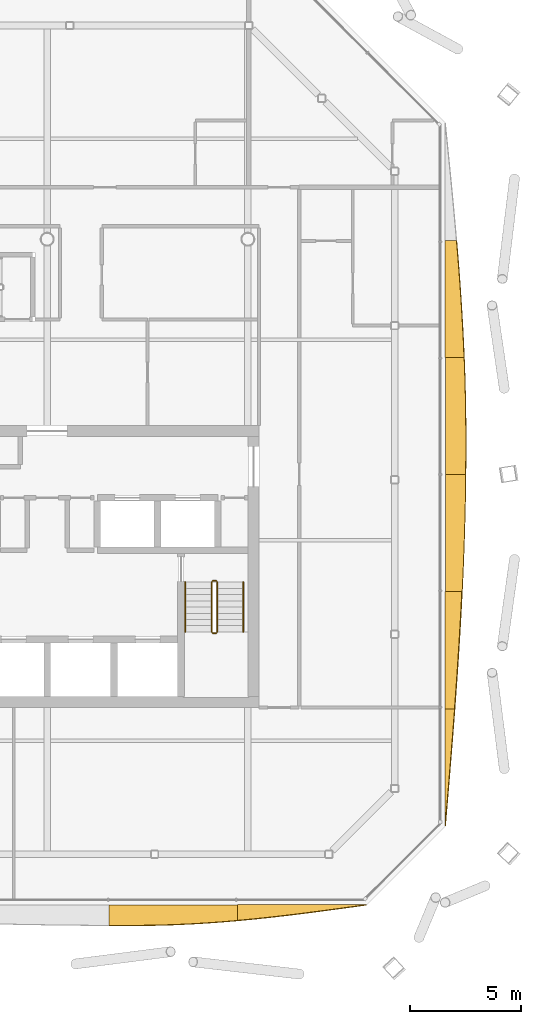
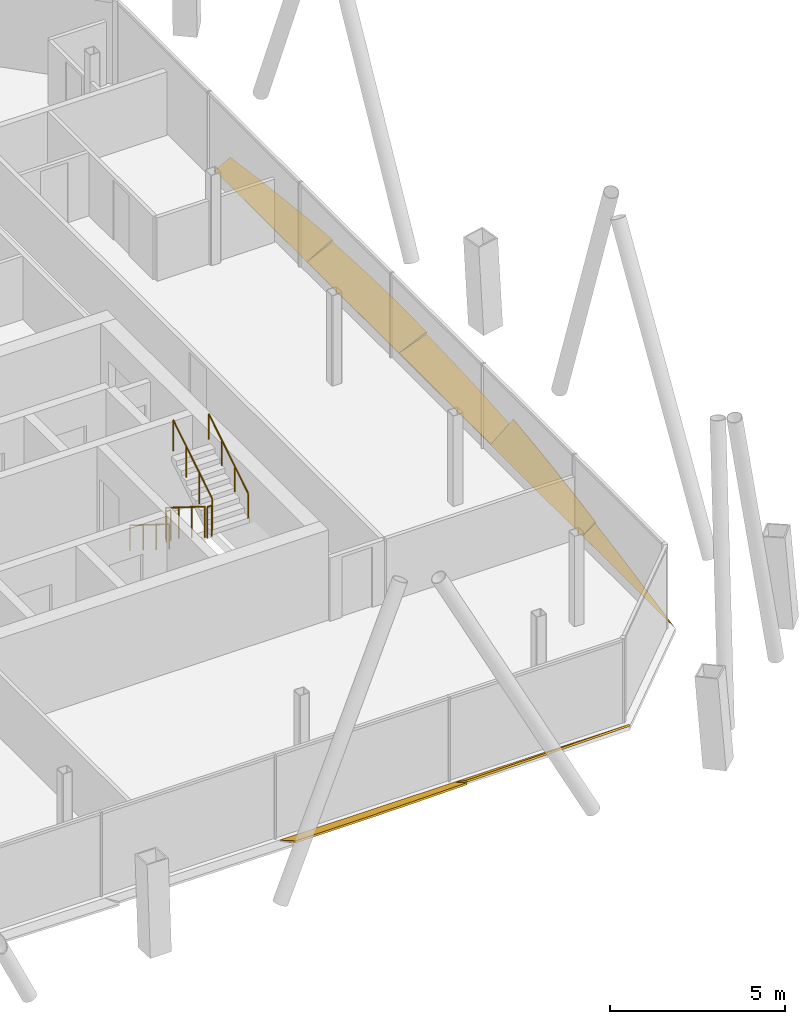
# One storey, part 19 of 20: 7 shading devices, 6 railings.
"""IFC4 building model written with IfcOpenShell, lengths in metres."""

from ifc_helpers import new_model, si_unit, direction, frame, origin, origin_2d, place, context, subcontext, project, spatial, polyline, circle, outline, extrude, material, layer, layer_set, type_object, element, save


model = new_model("IFC4")

# Units and contexts
model_context = context("Model", 3, precision=1e-05, world=origin(), true_north=direction((0.0, 1.0)))
body_context = subcontext(model_context, "Body", "Model", "MODEL_VIEW")
ifc_project = project(units=[si_unit("LENGTHUNIT", "METRE"), si_unit("AREAUNIT", "SQUARE_METRE"), si_unit("VOLUMEUNIT", "CUBIC_METRE"), si_unit("PLANEANGLEUNIT", "RADIAN"), si_unit("MASSUNIT", "GRAM", prefix="KILO")], contexts=[model_context])

# Site, building, storey
site_placement = place(None, origin())
site = spatial("IfcSite", under=ifc_project, at=site_placement, CompositionType="ELEMENT")
building_placement = place(site_placement, origin())
building = spatial("IfcBuilding", under=site, at=building_placement, Name="Tskaro Facet Tower", CompositionType="ELEMENT")
storey_placement = place(building_placement, frame((0.0, 0.0, 181.64990234375)))
storey = spatial("IfcBuildingStorey", under=building, at=storey_placement, Name="L45", CompositionType="ELEMENT", Elevation=181.64990234375)

# Shading devices
ifc_material_1 = material(Name="Bronze anodised aluminium 6063-T6", Category="aluminium")
ifc_layer = layer(ifc_material_1, 0.06005859375, Name="Bronze anodised aluminium 6063-T6")
ifc_layer_set = layer_set([ifc_layer], Name="Bronze anodised aluminium 6063-T6")
shading_device_type = type_object("IfcShadingDeviceType", Name="Bronze sun blade (FN1)", PredefinedType="USERDEFINED", material=ifc_layer_set)
shading_device_1_placement = place(storey_placement, frame((2.77099609375, -20.847900390625, 0.052001953125), z_axis=(8.713521e-06, 0.499987984961, 0.866032340515), x_axis=(0.999999999962, -4.356656e-06, -7.546191e-06)))
element("IfcShadingDevice", 1, at=shading_device_1_placement, inside=storey, type_object=shading_device_type, Name="Fin blade south 5", ObjectType="FIN", PredefinedType="USERDEFINED", context=body_context, shape_type="SweptSolid", body=[
    extrude(outline(polyline([(0.0, 0.0), (5.7709960935309175, 2.4441119149410585e-21), (5.770996092721833, -0.8113821062341036), (5.04956054620267, -0.881273293321049), (4.328369141485242, -0.9406559520218011), (3.606933594128653, -0.9888957813056845), (2.885498046600229, -1.0258707137935539), (2.164062500172418, -1.0503688126404058), (1.4428710928491835, -1.062845646281423), (1.0849609374675953, -1.0644804504802097), (0.7214355476350909, -1.0641469494241727), (-1.4159242318484354e-09, -1.0617557768155654), (0.0, 0.0)])), origin(), (0.0, 0.0, -1.0), 0.06005859375),
])
shading_device_2_placement = place(storey_placement, frame((8.5419921875, -20.843505859375, 0.04931640625), z_axis=(2.1502693e-05, 0.573422055485, 0.819260120976), x_axis=(0.999999999769, -1.2330118e-05, -1.7616299e-05)))
element("IfcShadingDevice", 2, at=shading_device_2_placement, inside=storey, type_object=shading_device_type, Name="Fin blade south 6", ObjectType="FIN", PredefinedType="USERDEFINED", context=body_context, shape_type="SweptSolid", body=[
    extrude(outline(polyline([(0.0, 0.0), (5.770996092415845, -9.776447659764234e-21), (5.049560546868994, -0.12184475035720642), (4.3283691410888085, -0.24192943017011098), (3.606933593396258, -0.3593740041665628), (2.8854980465682902, -0.47261841648027875), (2.164062498456054, -0.5802426068640231), (1.4428710935562072, -0.6812265444265976), (0.7214355454597278, -0.7739501542427478), (-2.627297725236392e-09, -0.8577334157183414), (0.0, 0.0)])), origin(), (0.0, 0.0, -1.0), 0.06005859375),
])
shading_device_3_placement = place(storey_placement, frame((17.843505859375, -17.31298828125, 0.04931640625), z_axis=(-0.573244813463, -1.9065049e-05, 0.819384148903), x_axis=(-1.092894e-05, 0.999999999818, 1.5621599e-05)))
element("IfcShadingDevice", 3, at=shading_device_3_placement, inside=storey, type_object=shading_device_type, Name="Fin blade east 1", ObjectType="FIN", PredefinedType="USERDEFINED", context=body_context, shape_type="SweptSolid", body=[
    extrude(outline(polyline([(0.0, 0.0), (5.252929686545342, 8.898809029845472e-21), (5.252929688401322, -0.5173201492282944), (4.596191407345836, -0.45683778941770425), (3.939697267669031, -0.3945953504692765), (3.2829589827845953, -0.33099292229954036), (2.626464841570175, -0.26631040960262076), (1.969726562775858, -0.20054781237851765), (1.3132324223151597, -0.1341052205437604), (0.6564941362699701, -0.06718267905661367), (0.0, 0.0)])), origin(), (0.0, 0.0, -1.0), 0.06005859375),
])
shading_device_4_placement = place(storey_placement, frame((17.83935546875, -12.06005859375, 0.046142578125), z_axis=(-0.642656932872, -2.3431305e-05, 0.766154074636), x_axis=(-1.505829e-05, 0.999999999725, 1.795199e-05)))
element("IfcShadingDevice", 4, at=shading_device_4_placement, inside=storey, type_object=shading_device_type, Name="Fin blade east 2", ObjectType="FIN", PredefinedType="USERDEFINED", context=body_context, shape_type="SweptSolid", body=[
    extrude(outline(polyline([(0.0, 0.0), (5.25268554543307, 0.0), (5.252685549604867, -0.982569945935019), (4.5961914058257065, -0.9394318379096585), (3.939453122416068, -0.8928240992151686), (3.2829589813322877, -0.8430906778515237), (2.626220701324499, -0.7902315738187242), (1.9697265606726972, -0.7347777844514236), (1.3129882818033567, -0.6765422604149429), (0.6564941429964725, -0.6160559990439356), (-7.556984524037646e-10, -0.553162101673107), (0.0, 0.0)])), origin(), (0.0, 0.0, -1.0), 0.06005859375),
])
shading_device_5_placement = place(storey_placement, frame((17.857421875, -6.807373046875, 0.056396484375), z_axis=(-0.342079385678, -1.8049887e-05, 0.939671056045), x_axis=(-6.174494e-06, 0.999999999837, 1.6960956e-05)))
element("IfcShadingDevice", 5, at=shading_device_5_placement, inside=storey, type_object=shading_device_type, Name="Fin blade east 3", ObjectType="FIN", PredefinedType="USERDEFINED", context=body_context, shape_type="SweptSolid", body=[
    extrude(outline(polyline([(0.0, 0.0), (5.252929686644302, -4.449404514922736e-21), (5.25292968864969, -0.9717485042845216), (4.5961914068175584, -0.9618616362337913), (3.939697262995434, -0.9488042482604431), (3.282958983089144, -0.9322010320816002), (2.626464842700305, -0.912197884101185), (1.9699707038373702, -0.8891077316731844), (1.3132324217345217, -0.8628470593225658), (0.6567382817825383, -0.833499382524362), (-1.4093593333966827e-09, -0.80098118580354), (0.0, 0.0)])), origin(), (0.0, 0.0, -1.0), 0.06005859375),
])
shading_device_6_placement = place(storey_placement, frame((17.8525390625, -1.554443359375, 0.054443359375), z_axis=(-0.422582178884, -1.19692e-07, 0.906324611875), x_axis=(-5.058e-08, 1.0, 1.0848e-07)))
element("IfcShadingDevice", 6, at=shading_device_6_placement, inside=storey, type_object=shading_device_type, Name="Fin blade east 4", ObjectType="FIN", PredefinedType="USERDEFINED", context=body_context, shape_type="SweptSolid", body=[
    extrude(outline(polyline([(0.0, 0.0), (5.252685546874963, 0.0), (5.252685546880509, -0.9317875700718131), (4.596191406253073, -0.9589848718801341), (3.9394531249969007, -0.9810495059063328), (3.2829589843743396, -0.997760201493213), (2.626464843748043, -1.009338229297971), (1.96972656249301, -1.0157835893206062), (1.5126953125107234, -1.0171994510383857), (1.313232421871589, -1.0168750109039233), (0.6564941406250062, -1.0139251862884349), (5.048736354667018e-12, -1.0074798262657993), (0.0, 0.0)])), origin(), (0.0, 0.0, -1.0), 0.06005859375),
])
shading_device_7_placement = place(storey_placement, frame((17.847900390625, 3.6982421875, 0.052001953125), z_axis=(-0.499986257836, 5.538109e-06, 0.866033337663), x_axis=(2.768978e-06, 0.999999999985, -4.796187e-06)))
element("IfcShadingDevice", 7, at=shading_device_7_placement, inside=storey, type_object=shading_device_type, Name="Fin blade east 5", ObjectType="FIN", PredefinedType="USERDEFINED", context=body_context, shape_type="SweptSolid", body=[
    extrude(outline(polyline([(0.0, 0.0), (5.252929687419445, 2.224702257461368e-21), (5.252929687816716, -0.5826597935999225), (4.596435546902481, -0.6455561953488831), (3.939697265447617, -0.7050609213514993), (3.28320312519704, -0.7608404707299586), (2.6264648430537947, -0.8128054765214111), (1.9699707031046843, -0.8603783039330816), (1.3132324222527527, -0.9034695860021199), (0.6567382810719724, -0.9418678888081952), (-2.178123547105467e-11, -0.9751176445160132), (0.0, 0.0)])), origin(), (0.0, 0.0, -1.0), 0.06005859375),
])

# Railings
ifc_material_2 = material(Name="Stainless steel", Category="steel")
railing_type_1 = type_object("IfcRailingType", Name="RL-GUARD-1100", PredefinedType="GUARDRAIL", material=ifc_material_2)
railing_1_placement = place(storey_placement, frame((7.375, -6.375, 0.175048828125)))
element("IfcRailing", 8, at=railing_1_placement, inside=storey, type_object=railing_type_1, Name="L45 ST-2 stair guard 1", PredefinedType="GUARDRAIL", context=body_context, shape_type="SweptSolid", body=[
    extrude(circle(Radius=0.02392578125, at=origin_2d()), frame((0.0, 0.0, 1.076171875), z_axis=(0.0, -0.847972341737, 0.530040477369), x_axis=(1.0, 0.0, 0.0)), (0.0, 0.0, 1.0), 2.6416015625),
    extrude(circle(Radius=0.02099609375, at=origin_2d()), origin(), (0.0, 0.0, 1.0), 1.052001953125),
    extrude(circle(Radius=0.02099609375, at=origin_2d()), frame((0.0, -0.74658203125, 0.466796875)), (0.0, 0.0, 1.0), 1.052001953125),
    extrude(circle(Radius=0.02099609375, at=origin_2d()), frame((0.0, -1.493408203125, 0.933349609375)), (0.0, 0.0, 1.0), 1.052001953125),
    extrude(circle(Radius=0.02099609375, at=origin_2d()), frame((0.0, -2.239990234375, 1.400146484375)), (0.0, 0.0, 1.0), 1.052001953125),
])
railing_2_placement = place(storey_placement, frame((7.425048828125, -8.6650390625, 1.5751953125)))
element("IfcRailing", 9, at=railing_2_placement, inside=storey, type_object=railing_type_1, Name="L45 ST-2 stair guard 2", PredefinedType="GUARDRAIL", context=body_context, shape_type="SweptSolid", body=[
    extrude(circle(Radius=0.02392578125, at=origin_2d()), frame((0.0, 0.0, 1.076171875), z_axis=(1.0, 0.0, 0.0), x_axis=(0.0, 1.0, 0.0)), (0.0, 0.0, 1.0), 0.14990234375),
    extrude(circle(Radius=0.02099609375, at=origin_2d()), origin(), (0.0, 0.0, 1.0), 1.052001953125),
    extrude(circle(Radius=0.02099609375, at=origin_2d()), frame((0.14990234375, 0.0, 0.0)), (0.0, 0.0, 1.0), 1.052001953125),
])
railing_3_placement = place(storey_placement, frame((7.625, -8.614990234375, 1.75)))
element("IfcRailing", 10, at=railing_3_placement, inside=storey, type_object=railing_type_1, Name="L45 ST-2 stair guard 3", PredefinedType="GUARDRAIL", context=body_context, shape_type="SweptSolid", body=[
    extrude(circle(Radius=0.02392578125, at=origin_2d()), frame((0.0, 0.0, 1.076171875), z_axis=(0.0, 0.847972341737, 0.530040477369), x_axis=(-1.0, 0.0, 0.0)), (0.0, 0.0, 1.0), 2.6416015625),
    extrude(circle(Radius=0.02099609375, at=origin_2d()), origin(), (0.0, 0.0, 1.0), 1.052001953125),
    extrude(circle(Radius=0.02099609375, at=origin_2d()), frame((0.0, 0.74658203125, 0.466796875)), (0.0, 0.0, 1.0), 1.052001953125),
    extrude(circle(Radius=0.02099609375, at=origin_2d()), frame((0.0, 1.493408203125, 0.933349609375)), (0.0, 0.0, 1.0), 1.052001953125),
    extrude(circle(Radius=0.02099609375, at=origin_2d()), frame((0.0, 2.239990234375, 1.400146484375)), (0.0, 0.0, 1.0), 1.052001953125),
])
railing_4_placement = place(storey_placement, frame((7.425048828125, -6.324951171875, 0.0)))
element("IfcRailing", 11, at=railing_4_placement, inside=storey, type_object=railing_type_1, Name="L45 ST-2 stair guard 4", PredefinedType="GUARDRAIL", context=body_context, shape_type="SweptSolid", body=[
    extrude(circle(Radius=0.02392578125, at=origin_2d()), frame((0.0, 0.0, 1.076171875), z_axis=(1.0, 0.0, 0.0), x_axis=(0.0, 1.0, 0.0)), (0.0, 0.0, 1.0), 0.14990234375),
    extrude(circle(Radius=0.02099609375, at=origin_2d()), origin(), (0.0, 0.0, 1.0), 1.052001953125),
    extrude(circle(Radius=0.02099609375, at=origin_2d()), frame((0.14990234375, 0.0, 0.0)), (0.0, 0.0, 1.0), 1.052001953125),
])
railing_type_2 = type_object("IfcRailingType", Name="RL-HANDRAIL-900", PredefinedType="HANDRAIL", material=ifc_material_2)
railing_5_placement = place(storey_placement, frame((6.199951171875, -6.375, 0.175048828125)))
element("IfcRailing", 12, at=railing_5_placement, inside=storey, type_object=railing_type_2, Name="L45 ST-2 stair handrail 1", PredefinedType="HANDRAIL", context=body_context, shape_type="SweptSolid", body=[
    extrude(circle(Radius=0.02392578125, at=origin_2d()), frame((0.0, 0.0, 0.8759765625), z_axis=(0.0, -0.847972341737, 0.530040477369), x_axis=(1.0, 0.0, 0.0)), (0.0, 0.0, 1.0), 2.6416015625),
    extrude(circle(Radius=0.02099609375, at=origin_2d()), origin(), (0.0, 0.0, 1.0), 0.851806640625),
    extrude(circle(Radius=0.02099609375, at=origin_2d()), frame((0.0, -0.74658203125, 0.466796875)), (0.0, 0.0, 1.0), 0.851806640625),
    extrude(circle(Radius=0.02099609375, at=origin_2d()), frame((0.0, -1.493408203125, 0.933349609375)), (0.0, 0.0, 1.0), 0.851806640625),
    extrude(circle(Radius=0.02099609375, at=origin_2d()), frame((0.0, -2.239990234375, 1.400146484375)), (0.0, 0.0, 1.0), 0.851806640625),
])
railing_6_placement = place(storey_placement, frame((8.800048828125, -8.614990234375, 1.75)))
element("IfcRailing", 13, at=railing_6_placement, inside=storey, type_object=railing_type_2, Name="L45 ST-2 stair handrail 2", PredefinedType="HANDRAIL", context=body_context, shape_type="SweptSolid", body=[
    extrude(circle(Radius=0.02392578125, at=origin_2d()), frame((0.0, 0.0, 0.8759765625), z_axis=(0.0, 0.847972341737, 0.530040477369), x_axis=(-1.0, 0.0, 0.0)), (0.0, 0.0, 1.0), 2.6416015625),
    extrude(circle(Radius=0.02099609375, at=origin_2d()), origin(), (0.0, 0.0, 1.0), 0.851806640625),
    extrude(circle(Radius=0.02099609375, at=origin_2d()), frame((0.0, 0.74658203125, 0.466796875)), (0.0, 0.0, 1.0), 0.851806640625),
    extrude(circle(Radius=0.02099609375, at=origin_2d()), frame((0.0, 1.493408203125, 0.933349609375)), (0.0, 0.0, 1.0), 0.851806640625),
    extrude(circle(Radius=0.02099609375, at=origin_2d()), frame((0.0, 2.239990234375, 1.400146484375)), (0.0, 0.0, 1.0), 0.851806640625),
])

save(model, "model.ifc")
